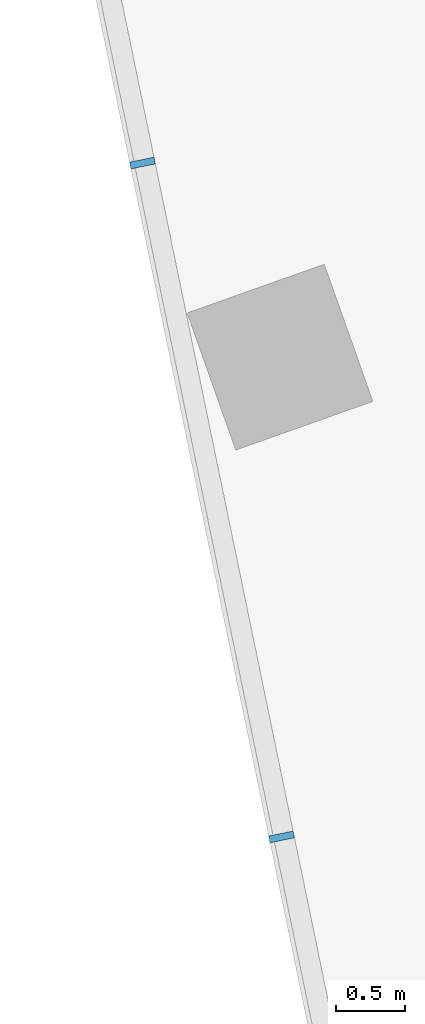
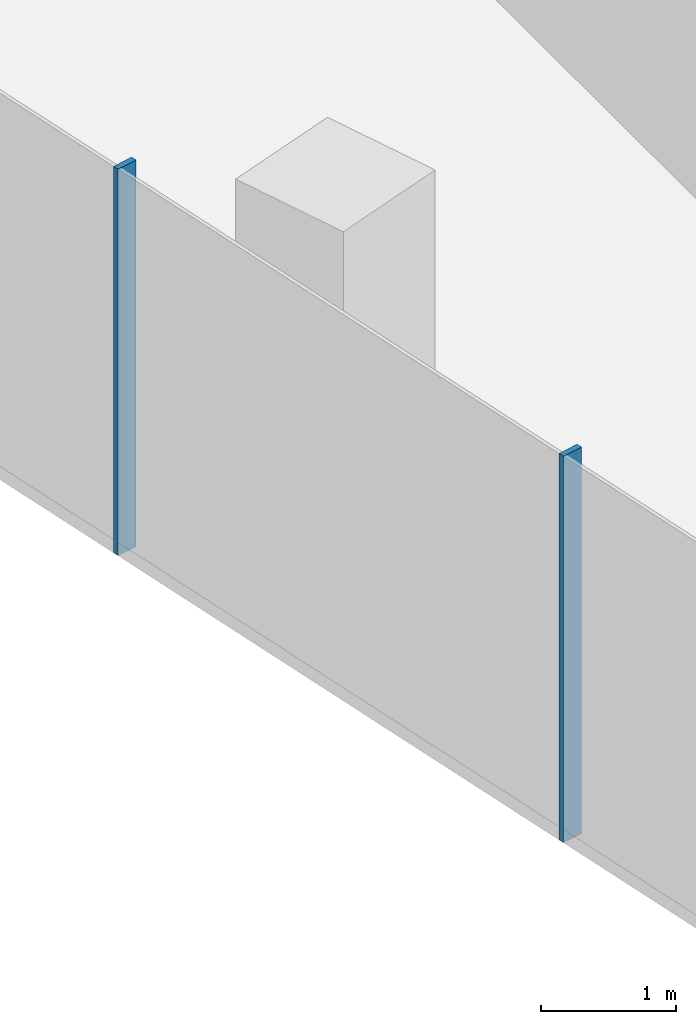
# One storey, part 3 of 24: 2 members, 1 element without a shape of its own.
"""IFC4 building model written with IfcOpenShell, lengths in metres."""

from ifc_helpers import new_model, si_unit, direction, frame, origin, origin_2d, place, context, subcontext, project, spatial, rectangle, extrude, material, material_profile, profile_set, type_object, element, aggregate, save


model = new_model("IFC4")

# Units and contexts
model_context = context("Model", 3, precision=1e-05, world=origin(), true_north=direction((0.0, 1.0)))
body_context = subcontext(model_context, "Body", "Model", "MODEL_VIEW")
ifc_project = project(units=[si_unit("LENGTHUNIT", "METRE"), si_unit("AREAUNIT", "SQUARE_METRE"), si_unit("VOLUMEUNIT", "CUBIC_METRE"), si_unit("PLANEANGLEUNIT", "RADIAN"), si_unit("MASSUNIT", "GRAM", prefix="KILO")], contexts=[model_context])

# Site, building, storey
site_placement = place(None, origin())
site = spatial("IfcSite", under=ifc_project, at=site_placement, CompositionType="ELEMENT")
building_placement = place(site_placement, origin())
building = spatial("IfcBuilding", under=site, at=building_placement, Name="Orlundy Tower", CompositionType="ELEMENT")
storey_placement = place(building_placement, frame((0.0, 0.0, 242.5)))
storey = spatial("IfcBuildingStorey", under=building, at=storey_placement, Name="L64", CompositionType="ELEMENT", Elevation=242.5)

# Curtain wall, members
ifc_material_1 = material(Name="Aluminium bronze anodised", Category="aluminium")
curtain_wall_type = type_object("IfcCurtainWallType", Name="CW1 wall", PredefinedType="NOTDEFINED", material=ifc_material_1)
curtain_wall_placement = place(storey_placement, origin())
curtain_wall = element("IfcCurtainWall", 1, at=curtain_wall_placement, inside=storey, type_object=curtain_wall_type, Name="CW1 run 014", PredefinedType="NOTDEFINED")
ifc_material_2 = material(Name="Aluminium bronze anodised", Category="aluminium")
ifc_material_profile = material_profile(ifc_material_2, rectangle(XDim=0.179931640625, YDim=0.050048828125, at=origin_2d()), Name="CW1 mullion 50x180")
ifc_profile_set = profile_set([ifc_material_profile], Name="Aluminium bronze anodised")
member_type = type_object("IfcMemberType", Name="CW1 mullion 50x180", PredefinedType="MULLION", material=ifc_profile_set)
member_1_placement = place(storey_placement, frame((-27.96044921875, -13.386474609375, -0.39990234375), z_axis=(0.0, 0.0, 1.0), x_axis=(-0.979337428215, -0.202233038095, 0.0)))
member_1 = element("IfcMember", 2, at=member_1_placement, type_object=member_type, Name="CW1 mullion 23", PredefinedType="MULLION", context=body_context, shape_type="SweptSolid", body=[
    extrude(rectangle(XDim=0.179931640625, YDim=0.050048828125, at=origin_2d()), origin(), (0.0, 0.0, 1.0), 3.5),
])
member_2_placement = place(storey_placement, frame((-28.965576171875, -8.5185546875, -0.39990234375), z_axis=(0.0, 0.0, 1.0), x_axis=(-0.979337428215, -0.202233038095, 0.0)))
member_2 = element("IfcMember", 3, at=member_2_placement, type_object=member_type, Name="CW1 mullion 24", PredefinedType="MULLION", context=body_context, shape_type="SweptSolid", body=[
    extrude(rectangle(XDim=0.179931640625, YDim=0.050048828125, at=origin_2d()), origin(), (0.0, 0.0, 1.0), 3.5),
])
aggregate(curtain_wall, [member_1, member_2])

save(model, "model.ifc")
